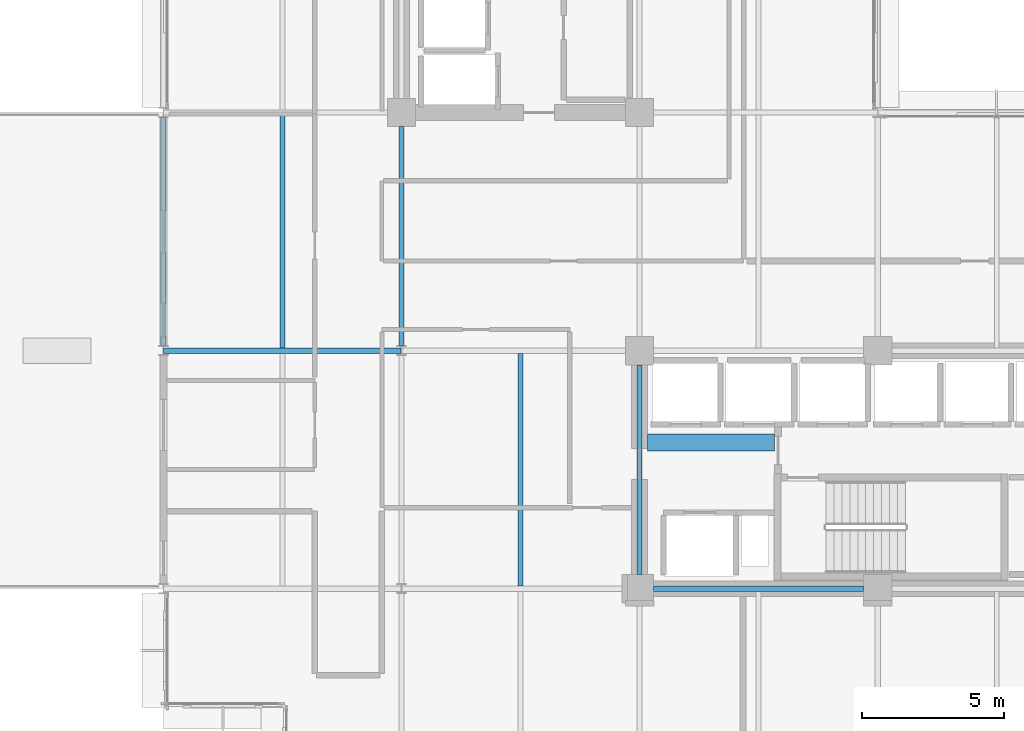
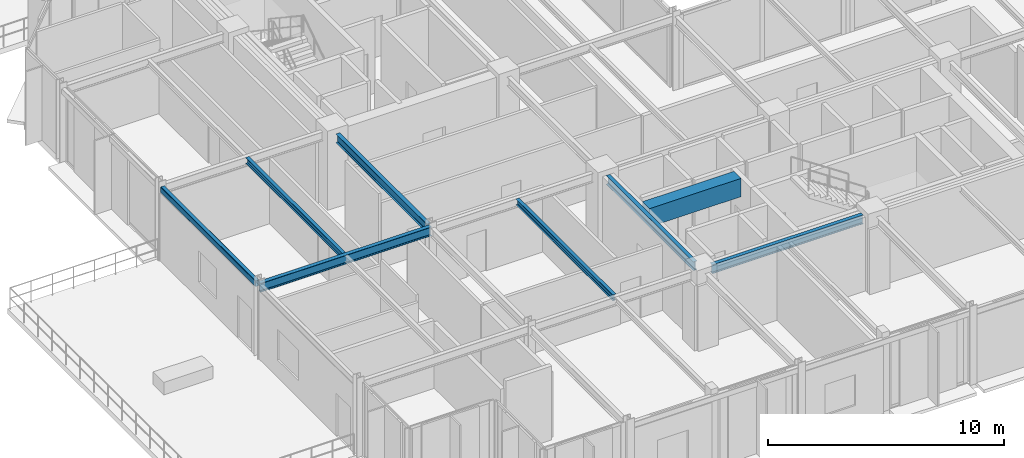
# One storey, part 4 of 21: 8 beams.
"""IFC4 building model written with IfcOpenShell, lengths in metres."""

from ifc_helpers import new_model, si_unit, direction, frame, origin, origin_2d, place, context, subcontext, project, spatial, rectangle, hollow_rectangle, i_section, extrude, material, material_profile, profile_set, type_object, element, save


model = new_model("IFC4")

# Units and contexts
model_context = context("Model", 3, precision=1e-05, world=origin(), true_north=direction((0.0, 1.0)))
body_context = subcontext(model_context, "Body", "Model", "MODEL_VIEW")
ifc_project = project(units=[si_unit("LENGTHUNIT", "METRE"), si_unit("AREAUNIT", "SQUARE_METRE"), si_unit("VOLUMEUNIT", "CUBIC_METRE"), si_unit("PLANEANGLEUNIT", "RADIAN"), si_unit("MASSUNIT", "GRAM", prefix="KILO")], contexts=[model_context])

# Site, building, storey
site_placement = place(None, origin())
site = spatial("IfcSite", under=ifc_project, at=site_placement, CompositionType="ELEMENT")
building_placement = place(site_placement, origin())
building = spatial("IfcBuilding", under=site, at=building_placement, Name="Nerrivon Quay Data Exchange", CompositionType="ELEMENT")
storey_placement = place(building_placement, frame((0.0, 0.0, 220.60009765625)))
storey = spatial("IfcBuildingStorey", under=building, at=storey_placement, Name="L52", CompositionType="ELEMENT", Elevation=220.60009765625)

# Beams
ifc_material_1 = material(Name="Concrete N50 (50 MPa)", Category="concrete")
ifc_material_profile_1 = material_profile(ifc_material_1, rectangle(XDim=0.60009765625, YDim=0.949951171875, at=origin_2d()), Name="RC-CB-600x950")
ifc_profile_set_1 = profile_set([ifc_material_profile_1], Name="Concrete N50 (50 MPa)")
beam_type_1 = type_object("IfcBeamType", Name="BM-CB2-600x950", PredefinedType="LINTEL", material=ifc_profile_set_1)
beam_1_placement = place(storey_placement, frame((17.074951171875, 13.550048828125, 3.349853515625), z_axis=(1.0, 0.0, 0.0), x_axis=(0.0, 1.0, 0.0)))
element("IfcBeam", 1, at=beam_1_placement, inside=storey, type_object=beam_type_1, Name="L52 East Core Coupling Beam", PredefinedType="LINTEL", context=body_context, shape_type="SweptSolid", body=[
    extrude(rectangle(XDim=0.60009765625, YDim=0.949951171875, at=origin_2d()), origin(), (0.0, 0.0, 1.0), 4.47998046875),
])
ifc_material_2 = material(Name="Steel Grade 350", Category="steel")
ifc_material_profile_2 = material_profile(ifc_material_2, i_section(OverallWidth=0.19091796875, OverallDepth=0.4599609375, WebThickness=0.010009765625, FlangeThickness=0.01611328125, FilletRadius=0.011474609375, at=origin_2d()), Name="460UB82.1")
ifc_profile_set_2 = profile_set([ifc_material_profile_2], Name="Steel Grade 350")
beam_type_2 = type_object("IfcBeamType", Name="BM-G5-460UB82", PredefinedType="BEAM", material=ifc_profile_set_2)
beam_2_placement = place(storey_placement, frame((17.300048828125, 8.39990234375, 3.594970703125), z_axis=(1.0, 0.0, 0.0), x_axis=(0.0, 1.0, 0.0)))
element("IfcBeam", 2, at=beam_2_placement, inside=storey, type_object=beam_type_2, Name="L52 EW Girder Y=8.4 (16.8..25.2)", PredefinedType="BEAM", context=body_context, shape_type="SweptSolid", body=[
    extrude(i_section(OverallWidth=0.19091796875, OverallDepth=0.4599609375, WebThickness=0.010009765625, FlangeThickness=0.01611328125, FilletRadius=0.011474609375, at=origin_2d()), origin(), (0.0, 0.0, 1.0), 7.39990234375),
])
beam_3_placement = place(storey_placement, frame((0.010009765625, 16.800048828125, 3.594970703125), z_axis=(1.0, 0.0, 0.0), x_axis=(0.0, 1.0, 0.0)))
element("IfcBeam", 3, at=beam_3_placement, inside=storey, type_object=beam_type_2, Name="L52 EW Girder Y=16.8 (0.0..8.4)", PredefinedType="BEAM", context=body_context, shape_type="SweptSolid", body=[
    extrude(i_section(OverallWidth=0.19091796875, OverallDepth=0.4599609375, WebThickness=0.010009765625, FlangeThickness=0.01611328125, FilletRadius=0.011474609375, at=origin_2d()), origin(), (0.0, 0.0, 1.0), 8.3798828125),
])
ifc_material_profile_3 = material_profile(ifc_material_2, i_section(OverallWidth=0.18994140625, OverallDepth=0.4541015625, WebThickness=0.008544921875, FlangeThickness=0.0126953125, FilletRadius=0.011474609375, at=origin_2d()), Name="460UB67.1")
ifc_profile_set_3 = profile_set([ifc_material_profile_3], Name="Steel Grade 350")
beam_type_3 = type_object("IfcBeamType", Name="BM-G6-460UB67", PredefinedType="BEAM", material=ifc_profile_set_3)
beam_4_placement = place(storey_placement, frame((8.39990234375, 16.97509765625, 3.597900390625), z_axis=(0.0, 1.0, 0.0), x_axis=(-1.0, 0.0, 0.0)))
element("IfcBeam", 4, at=beam_4_placement, inside=storey, type_object=beam_type_3, Name="L52 NS Girder X=8.4 (16.8..25.2)", PredefinedType="BEAM", context=body_context, shape_type="SweptSolid", body=[
    extrude(i_section(OverallWidth=0.18994140625, OverallDepth=0.4541015625, WebThickness=0.008544921875, FlangeThickness=0.0126953125, FilletRadius=0.011474609375, at=origin_2d()), origin(), (0.0, 0.0, 1.0), 7.724853515625),
])
beam_5_placement = place(storey_placement, frame((16.800048828125, 8.89990234375, 3.597900390625), z_axis=(0.0, 1.0, 0.0), x_axis=(-1.0, 0.0, 0.0)))
element("IfcBeam", 5, at=beam_5_placement, inside=storey, type_object=beam_type_3, Name="L52 NS Girder X=16.8 (8.4..16.8)", PredefinedType="BEAM", context=body_context, shape_type="SweptSolid", body=[
    extrude(i_section(OverallWidth=0.18994140625, OverallDepth=0.4541015625, WebThickness=0.008544921875, FlangeThickness=0.0126953125, FilletRadius=0.011474609375, at=origin_2d()), origin(), (0.0, 0.0, 1.0), 7.400146484375),
])
ifc_material_profile_4 = material_profile(ifc_material_2, i_section(OverallWidth=0.166015625, OverallDepth=0.306884765625, WebThickness=0.006591796875, FlangeThickness=0.01171875, FilletRadius=0.011474609375, at=origin_2d()), Name="310UB46.2")
ifc_profile_set_4 = profile_set([ifc_material_profile_4], Name="Steel Grade 350")
beam_type_4 = type_object("IfcBeamType", Name="BM-J5-310UB46", PredefinedType="JOIST", material=ifc_profile_set_4)
for number, where, z_axis, x_axis, name in (
    (6, (4.199951171875, 16.8955078125, 3.67138671875), (0.0, 1.0, 0.0), (-1.0, 0.0, 0.0), "L52 Secondary Joist X=4.2 (16.8..25.2)"),
    (7, (12.60009765625, 8.49560546875, 3.67138671875), (0.0, 1.0, 0.0), (-1.0, 0.0, 0.0), "L52 Secondary Joist X=12.6 (8.4..16.8)"),
):
    element("IfcBeam", number, at=place(storey_placement, frame(where, z_axis=z_axis, x_axis=x_axis)), inside=storey, type_object=beam_type_4, Name=name, PredefinedType="JOIST", context=body_context, shape_type="SweptSolid", body=[
        extrude(i_section(OverallWidth=0.166015625, OverallDepth=0.306884765625, WebThickness=0.006591796875, FlangeThickness=0.01171875, FilletRadius=0.011474609375, at=origin_2d()), origin(), (0.0, 0.0, 1.0), 8.208984375),
    ])
ifc_material_3 = material(Name="Steel Grade C350L0 (350 MPa)", Category="steel")
ifc_material_profile_5 = material_profile(ifc_material_3, hollow_rectangle(XDim=0.199951171875, YDim=0.300048828125, WallThickness=0.012451171875, InnerFilletRadius=0.018798828125, OuterFilletRadius=0.03125, at=origin_2d()), Name="300x200x12.5RHS")
ifc_profile_set_5 = profile_set([ifc_material_profile_5], Name="Steel Grade C350L0 (350 MPa)")
beam_type_5 = type_object("IfcBeamType", Name="BM-SP3-300x200RHS", PredefinedType="SPANDREL", material=ifc_profile_set_5)
beam_6_placement = place(storey_placement, frame((0.0, 16.97509765625, 3.6748046875), z_axis=(0.0, 1.0, 0.0), x_axis=(-1.0, 0.0, 0.0)))
element("IfcBeam", 8, at=beam_6_placement, inside=storey, type_object=beam_type_5, Name="L52 NS Girder X=0.0 (16.8..25.2)", PredefinedType="SPANDREL", context=body_context, shape_type="SweptSolid", body=[
    extrude(hollow_rectangle(XDim=0.199951171875, YDim=0.300048828125, WallThickness=0.012451171875, InnerFilletRadius=0.018798828125, OuterFilletRadius=0.03125, at=origin_2d()), origin(), (0.0, 0.0, 1.0), 8.0498046875),
])

save(model, "model.ifc")
